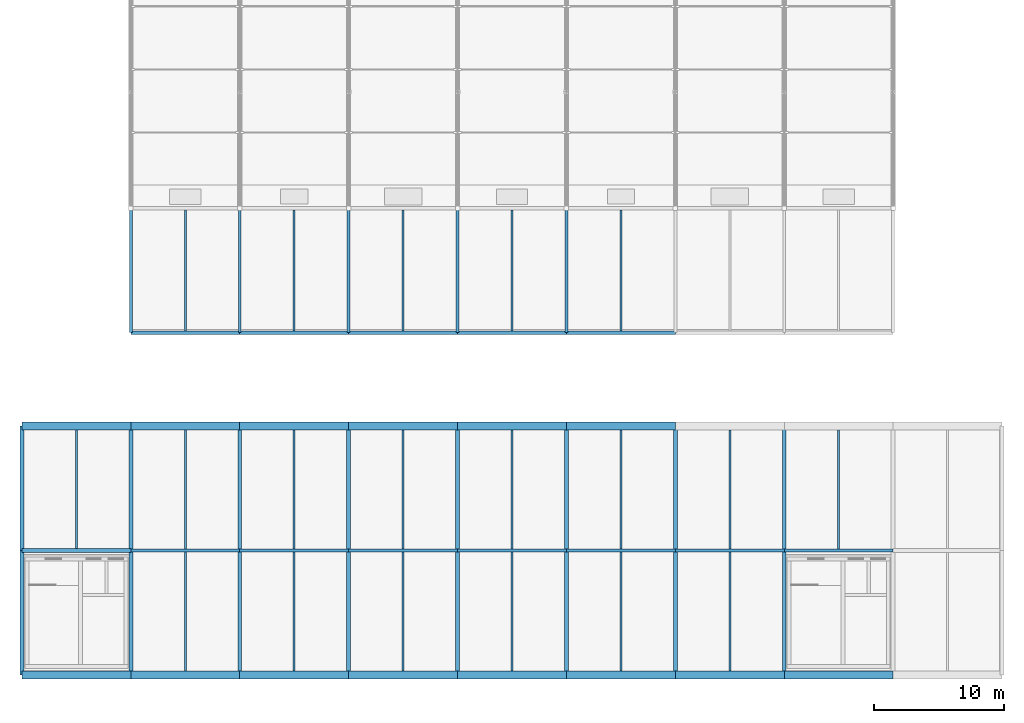
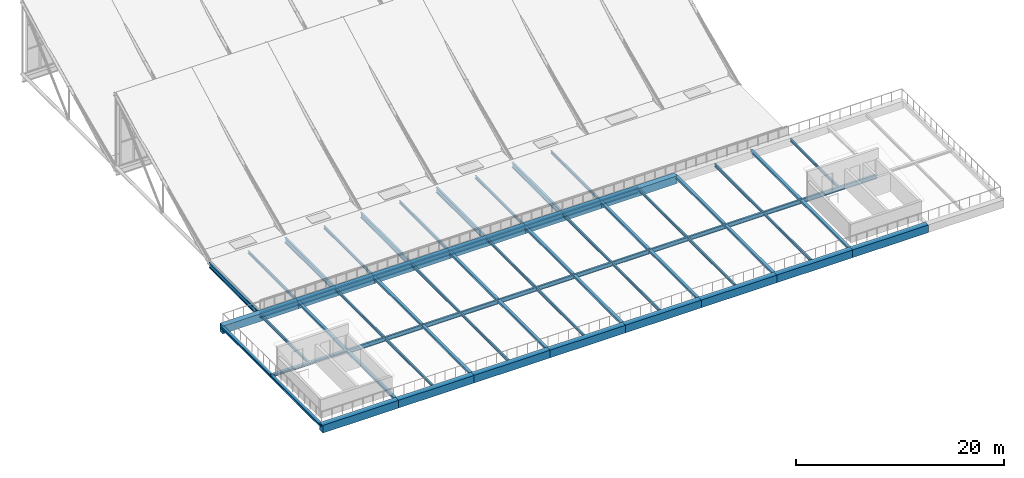
# One storey, part 1 of 38: 67 beams.
"""IFC4 building model written with IfcOpenShell, lengths in metres."""

from ifc_helpers import new_model, si_unit, direction, frame, origin, origin_2d, place, context, subcontext, project, spatial, rectangle, i_section, extrude, material, material_profile, profile_set, type_object, element, save


model = new_model("IFC4")

# Units and contexts
model_context = context("Model", 3, precision=1e-05, world=origin(), true_north=direction((0.0, 1.0)))
body_context = subcontext(model_context, "Body", "Model", "MODEL_VIEW")
ifc_project = project(units=[si_unit("LENGTHUNIT", "METRE"), si_unit("AREAUNIT", "SQUARE_METRE"), si_unit("VOLUMEUNIT", "CUBIC_METRE"), si_unit("PLANEANGLEUNIT", "RADIAN"), si_unit("MASSUNIT", "GRAM", prefix="KILO")], contexts=[model_context])

# Site, building, storey
site_placement = place(None, origin())
site = spatial("IfcSite", under=ifc_project, at=site_placement, CompositionType="ELEMENT")
building_placement = place(site_placement, origin())
building = spatial("IfcBuilding", under=site, at=building_placement, Name="Veltarok Museum of Natural Sciences", CompositionType="ELEMENT")
storey_placement = place(building_placement, frame((0.0, 0.0, 31.199951171875)))
storey = spatial("IfcBuildingStorey", under=building, at=storey_placement, Name="RF", CompositionType="ELEMENT", Elevation=31.199951171875)

# Beams
ifc_material_1 = material(Name="Concrete C40/50", Category="concrete")
ifc_material_profile_1 = material_profile(ifc_material_1, rectangle(XDim=0.60009765625, YDim=0.89990234375, at=origin_2d()), Name="RC 600x900")
ifc_profile_set_1 = profile_set([ifc_material_profile_1], Name="Concrete C40/50")
beam_type_1 = type_object("IfcBeamType", Name="Exposed Cabinet Perimeter Spandrel RC 600x900", PredefinedType="SPANDREL", material=ifc_profile_set_1)
for number, where, z_axis, x_axis, name in (
    (1, (31.60009765625, 0.0, -0.7099609375), (1.0, 0.0, 0.0), (0.0, 1.0, 0.0), "Beam BM-SP01 RF 4-5/A"),
    (2, (40.0, 0.0, -0.7099609375), (1.0, 0.0, 0.0), (0.0, 1.0, 0.0), "Beam BM-SP01 RF 5-6/A"),
):
    element("IfcBeam", number, at=place(storey_placement, frame(where, z_axis=z_axis, x_axis=x_axis)), inside=storey, type_object=beam_type_1, Name=name, PredefinedType="SPANDREL", context=body_context, shape_type="SweptSolid", body=[
        extrude(rectangle(XDim=0.60009765625, YDim=0.89990234375, at=origin_2d()), origin(), (0.0, 0.0, 1.0), 8.39990234375),
    ])
beam_1_placement = place(storey_placement, frame((48.39990234375, 0.0, -0.7099609375), z_axis=(1.0, 0.0, 0.0), x_axis=(0.0, 1.0, 0.0)))
element("IfcBeam", 3, at=beam_1_placement, inside=storey, type_object=beam_type_1, Name="Beam BM-SP01 RF 6-7/A", PredefinedType="SPANDREL", context=body_context, shape_type="SweptSolid", body=[
    extrude(rectangle(XDim=0.60009765625, YDim=0.89990234375, at=origin_2d()), origin(), (0.0, 0.0, 1.0), 8.400146484375),
])
beam_2_placement = place(storey_placement, frame((56.800048828125, 0.0, -0.7099609375), z_axis=(1.0, 0.0, 0.0), x_axis=(0.0, 1.0, 0.0)))
element("IfcBeam", 4, at=beam_2_placement, inside=storey, type_object=beam_type_1, Name="Beam BM-SP01 RF 7-8/A", PredefinedType="SPANDREL", context=body_context, shape_type="SweptSolid", body=[
    extrude(rectangle(XDim=0.60009765625, YDim=0.89990234375, at=origin_2d()), origin(), (0.0, 0.0, 1.0), 8.39990234375),
])
beam_3_placement = place(storey_placement, frame((65.199951171875, 0.0, -0.7099609375), z_axis=(1.0, 0.0, 0.0), x_axis=(0.0, 1.0, 0.0)))
element("IfcBeam", 5, at=beam_3_placement, inside=storey, type_object=beam_type_1, Name="Beam BM-SP01 RF 8-9/A", PredefinedType="SPANDREL", context=body_context, shape_type="SweptSolid", body=[
    extrude(rectangle(XDim=0.60009765625, YDim=0.89990234375, at=origin_2d()), origin(), (0.0, 0.0, 1.0), 8.400146484375),
])
for number, where, z_axis, x_axis, name in (
    (6, (73.60009765625, 0.0, -0.7099609375), (1.0, 0.0, 0.0), (0.0, 1.0, 0.0), "Beam BM-SP01 RF 9-10/A"),
    (7, (82.0, 0.0, -0.7099609375), (1.0, 0.0, 0.0), (0.0, 1.0, 0.0), "Beam BM-SP01 RF 10-11/A"),
):
    element("IfcBeam", number, at=place(storey_placement, frame(where, z_axis=z_axis, x_axis=x_axis)), inside=storey, type_object=beam_type_1, Name=name, PredefinedType="SPANDREL", context=body_context, shape_type="SweptSolid", body=[
        extrude(rectangle(XDim=0.60009765625, YDim=0.89990234375, at=origin_2d()), origin(), (0.0, 0.0, 1.0), 8.39990234375),
    ])
beam_4_placement = place(storey_placement, frame((90.39990234375, 0.0, -0.7099609375), z_axis=(1.0, 0.0, 0.0), x_axis=(0.0, 1.0, 0.0)))
element("IfcBeam", 8, at=beam_4_placement, inside=storey, type_object=beam_type_1, Name="Beam BM-SP01 RF 11-12/A", PredefinedType="SPANDREL", context=body_context, shape_type="SweptSolid", body=[
    extrude(rectangle(XDim=0.60009765625, YDim=0.89990234375, at=origin_2d()), origin(), (0.0, 0.0, 1.0), 8.400146484375),
])
for number, where, z_axis, x_axis, name in (
    (9, (31.60009765625, 19.199951171875, -0.7099609375), (1.0, 0.0, 0.0), (0.0, 1.0, 0.0), "Beam BM-SP01 RF 4-5/C"),
    (10, (40.0, 19.199951171875, -0.7099609375), (1.0, 0.0, 0.0), (0.0, 1.0, 0.0), "Beam BM-SP01 RF 5-6/C"),
):
    element("IfcBeam", number, at=place(storey_placement, frame(where, z_axis=z_axis, x_axis=x_axis)), inside=storey, type_object=beam_type_1, Name=name, PredefinedType="SPANDREL", context=body_context, shape_type="SweptSolid", body=[
        extrude(rectangle(XDim=0.60009765625, YDim=0.89990234375, at=origin_2d()), origin(), (0.0, 0.0, 1.0), 8.39990234375),
    ])
beam_5_placement = place(storey_placement, frame((48.39990234375, 19.199951171875, -0.7099609375), z_axis=(1.0, 0.0, 0.0), x_axis=(0.0, 1.0, 0.0)))
element("IfcBeam", 11, at=beam_5_placement, inside=storey, type_object=beam_type_1, Name="Beam BM-SP01 RF 6-7/C", PredefinedType="SPANDREL", context=body_context, shape_type="SweptSolid", body=[
    extrude(rectangle(XDim=0.60009765625, YDim=0.89990234375, at=origin_2d()), origin(), (0.0, 0.0, 1.0), 8.400146484375),
])
beam_6_placement = place(storey_placement, frame((56.800048828125, 19.199951171875, -0.7099609375), z_axis=(1.0, 0.0, 0.0), x_axis=(0.0, 1.0, 0.0)))
element("IfcBeam", 12, at=beam_6_placement, inside=storey, type_object=beam_type_1, Name="Beam BM-SP01 RF 7-8/C", PredefinedType="SPANDREL", context=body_context, shape_type="SweptSolid", body=[
    extrude(rectangle(XDim=0.60009765625, YDim=0.89990234375, at=origin_2d()), origin(), (0.0, 0.0, 1.0), 8.39990234375),
])
beam_7_placement = place(storey_placement, frame((65.199951171875, 19.199951171875, -0.7099609375), z_axis=(1.0, 0.0, 0.0), x_axis=(0.0, 1.0, 0.0)))
element("IfcBeam", 13, at=beam_7_placement, inside=storey, type_object=beam_type_1, Name="Beam BM-SP01 RF 8-9/C", PredefinedType="SPANDREL", context=body_context, shape_type="SweptSolid", body=[
    extrude(rectangle(XDim=0.60009765625, YDim=0.89990234375, at=origin_2d()), origin(), (0.0, 0.0, 1.0), 8.400146484375),
])
beam_8_placement = place(storey_placement, frame((73.60009765625, 19.199951171875, -0.7099609375), z_axis=(1.0, 0.0, 0.0), x_axis=(0.0, 1.0, 0.0)))
element("IfcBeam", 14, at=beam_8_placement, inside=storey, type_object=beam_type_1, Name="Beam BM-SP01 RF 9-10/C", PredefinedType="SPANDREL", context=body_context, shape_type="SweptSolid", body=[
    extrude(rectangle(XDim=0.60009765625, YDim=0.89990234375, at=origin_2d()), origin(), (0.0, 0.0, 1.0), 8.39990234375),
])
ifc_material_2 = material(Name="Steel S355J2", Category="steel")
ifc_material_profile_2 = material_profile(ifc_material_2, i_section(OverallWidth=0.300048828125, OverallDepth=0.2900390625, WebThickness=0.008544921875, FlangeThickness=0.013916015625, FilletRadius=0.027099609375, at=origin_2d()), Name="HEA 300")
ifc_profile_set_2 = profile_set([ifc_material_profile_2], Name="Steel S355J2")
beam_type_2 = type_object("IfcBeamType", Name="Glazed Hall Edge Spandrel HEA 300", PredefinedType="SPANDREL", material=ifc_profile_set_2)
beam_9_placement = place(storey_placement, frame((31.60009765625, 9.60009765625, -0.405029296875), z_axis=(1.0, 0.0, 0.0), x_axis=(0.0, 1.0, 0.0)))
element("IfcBeam", 15, at=beam_9_placement, inside=storey, type_object=beam_type_2, Name="Beam BM-SP03 RF 4-5/B", PredefinedType="SPANDREL", context=body_context, shape_type="SweptSolid", body=[
    extrude(i_section(OverallWidth=0.300048828125, OverallDepth=0.2900390625, WebThickness=0.008544921875, FlangeThickness=0.013916015625, FilletRadius=0.027099609375, at=origin_2d()), origin(), (0.0, 0.0, 1.0), 8.39990234375),
])
beam_10_placement = place(storey_placement, frame((31.60009765625, 0.0, -0.405029296875), z_axis=(0.0, 1.0, 0.0), x_axis=(-1.0, 0.0, 0.0)))
element("IfcBeam", 16, at=beam_10_placement, inside=storey, type_object=beam_type_2, Name="Beam BM-SP03 RF 4/A-B", PredefinedType="SPANDREL", context=body_context, shape_type="SweptSolid", body=[
    extrude(i_section(OverallWidth=0.300048828125, OverallDepth=0.2900390625, WebThickness=0.008544921875, FlangeThickness=0.013916015625, FilletRadius=0.027099609375, at=origin_2d()), origin(), (0.0, 0.0, 1.0), 9.60009765625),
])
beam_11_placement = place(storey_placement, frame((31.60009765625, 9.60009765625, -0.405029296875), z_axis=(0.0, 1.0, 0.0), x_axis=(-1.0, 0.0, 0.0)))
element("IfcBeam", 17, at=beam_11_placement, inside=storey, type_object=beam_type_2, Name="Beam BM-SP03 RF 4/B-C", PredefinedType="SPANDREL", context=body_context, shape_type="SweptSolid", body=[
    extrude(i_section(OverallWidth=0.300048828125, OverallDepth=0.2900390625, WebThickness=0.008544921875, FlangeThickness=0.013916015625, FilletRadius=0.027099609375, at=origin_2d()), origin(), (0.0, 0.0, 1.0), 9.599853515625),
])
beam_12_placement = place(storey_placement, frame((40.0, 0.0, -0.405029296875), z_axis=(0.0, 1.0, 0.0), x_axis=(-1.0, 0.0, 0.0)))
element("IfcBeam", 18, at=beam_12_placement, inside=storey, type_object=beam_type_2, Name="Beam BM-SP03 RF 5/A-B", PredefinedType="SPANDREL", context=body_context, shape_type="SweptSolid", body=[
    extrude(i_section(OverallWidth=0.300048828125, OverallDepth=0.2900390625, WebThickness=0.008544921875, FlangeThickness=0.013916015625, FilletRadius=0.027099609375, at=origin_2d()), origin(), (0.0, 0.0, 1.0), 9.60009765625),
])
beam_13_placement = place(storey_placement, frame((40.0, 9.60009765625, -0.405029296875), z_axis=(0.0, 1.0, 0.0), x_axis=(-1.0, 0.0, 0.0)))
element("IfcBeam", 19, at=beam_13_placement, inside=storey, type_object=beam_type_2, Name="Beam BM-SP03 RF 5/B-C", PredefinedType="SPANDREL", context=body_context, shape_type="SweptSolid", body=[
    extrude(i_section(OverallWidth=0.300048828125, OverallDepth=0.2900390625, WebThickness=0.008544921875, FlangeThickness=0.013916015625, FilletRadius=0.027099609375, at=origin_2d()), origin(), (0.0, 0.0, 1.0), 9.599853515625),
])
beam_14_placement = place(storey_placement, frame((48.39990234375, 0.0, -0.405029296875), z_axis=(0.0, 1.0, 0.0), x_axis=(-1.0, 0.0, 0.0)))
element("IfcBeam", 20, at=beam_14_placement, inside=storey, type_object=beam_type_2, Name="Beam BM-SP03 RF 6/A-B", PredefinedType="SPANDREL", context=body_context, shape_type="SweptSolid", body=[
    extrude(i_section(OverallWidth=0.300048828125, OverallDepth=0.2900390625, WebThickness=0.008544921875, FlangeThickness=0.013916015625, FilletRadius=0.027099609375, at=origin_2d()), origin(), (0.0, 0.0, 1.0), 9.60009765625),
])
beam_15_placement = place(storey_placement, frame((48.39990234375, 9.60009765625, -0.405029296875), z_axis=(0.0, 1.0, 0.0), x_axis=(-1.0, 0.0, 0.0)))
element("IfcBeam", 21, at=beam_15_placement, inside=storey, type_object=beam_type_2, Name="Beam BM-SP03 RF 6/B-C", PredefinedType="SPANDREL", context=body_context, shape_type="SweptSolid", body=[
    extrude(i_section(OverallWidth=0.300048828125, OverallDepth=0.2900390625, WebThickness=0.008544921875, FlangeThickness=0.013916015625, FilletRadius=0.027099609375, at=origin_2d()), origin(), (0.0, 0.0, 1.0), 9.599853515625),
])
beam_16_placement = place(storey_placement, frame((56.800048828125, 0.0, -0.405029296875), z_axis=(0.0, 1.0, 0.0), x_axis=(-1.0, 0.0, 0.0)))
element("IfcBeam", 22, at=beam_16_placement, inside=storey, type_object=beam_type_2, Name="Beam BM-SP03 RF 7/A-B", PredefinedType="SPANDREL", context=body_context, shape_type="SweptSolid", body=[
    extrude(i_section(OverallWidth=0.300048828125, OverallDepth=0.2900390625, WebThickness=0.008544921875, FlangeThickness=0.013916015625, FilletRadius=0.027099609375, at=origin_2d()), origin(), (0.0, 0.0, 1.0), 9.60009765625),
])
beam_17_placement = place(storey_placement, frame((56.800048828125, 9.60009765625, -0.405029296875), z_axis=(0.0, 1.0, 0.0), x_axis=(-1.0, 0.0, 0.0)))
element("IfcBeam", 23, at=beam_17_placement, inside=storey, type_object=beam_type_2, Name="Beam BM-SP03 RF 7/B-C", PredefinedType="SPANDREL", context=body_context, shape_type="SweptSolid", body=[
    extrude(i_section(OverallWidth=0.300048828125, OverallDepth=0.2900390625, WebThickness=0.008544921875, FlangeThickness=0.013916015625, FilletRadius=0.027099609375, at=origin_2d()), origin(), (0.0, 0.0, 1.0), 9.599853515625),
])
beam_18_placement = place(storey_placement, frame((65.199951171875, 0.0, -0.405029296875), z_axis=(0.0, 1.0, 0.0), x_axis=(-1.0, 0.0, 0.0)))
element("IfcBeam", 24, at=beam_18_placement, inside=storey, type_object=beam_type_2, Name="Beam BM-SP03 RF 8/A-B", PredefinedType="SPANDREL", context=body_context, shape_type="SweptSolid", body=[
    extrude(i_section(OverallWidth=0.300048828125, OverallDepth=0.2900390625, WebThickness=0.008544921875, FlangeThickness=0.013916015625, FilletRadius=0.027099609375, at=origin_2d()), origin(), (0.0, 0.0, 1.0), 9.60009765625),
])
beam_19_placement = place(storey_placement, frame((65.199951171875, 9.60009765625, -0.405029296875), z_axis=(0.0, 1.0, 0.0), x_axis=(-1.0, 0.0, 0.0)))
element("IfcBeam", 25, at=beam_19_placement, inside=storey, type_object=beam_type_2, Name="Beam BM-SP03 RF 8/B-C", PredefinedType="SPANDREL", context=body_context, shape_type="SweptSolid", body=[
    extrude(i_section(OverallWidth=0.300048828125, OverallDepth=0.2900390625, WebThickness=0.008544921875, FlangeThickness=0.013916015625, FilletRadius=0.027099609375, at=origin_2d()), origin(), (0.0, 0.0, 1.0), 9.599853515625),
])
beam_20_placement = place(storey_placement, frame((73.60009765625, 0.0, -0.405029296875), z_axis=(0.0, 1.0, 0.0), x_axis=(-1.0, 0.0, 0.0)))
element("IfcBeam", 26, at=beam_20_placement, inside=storey, type_object=beam_type_2, Name="Beam BM-SP03 RF 9/A-B", PredefinedType="SPANDREL", context=body_context, shape_type="SweptSolid", body=[
    extrude(i_section(OverallWidth=0.300048828125, OverallDepth=0.2900390625, WebThickness=0.008544921875, FlangeThickness=0.013916015625, FilletRadius=0.027099609375, at=origin_2d()), origin(), (0.0, 0.0, 1.0), 9.60009765625),
])
beam_21_placement = place(storey_placement, frame((73.60009765625, 9.60009765625, -0.405029296875), z_axis=(0.0, 1.0, 0.0), x_axis=(-1.0, 0.0, 0.0)))
element("IfcBeam", 27, at=beam_21_placement, inside=storey, type_object=beam_type_2, Name="Beam BM-SP03 RF 9/B-C", PredefinedType="SPANDREL", context=body_context, shape_type="SweptSolid", body=[
    extrude(i_section(OverallWidth=0.300048828125, OverallDepth=0.2900390625, WebThickness=0.008544921875, FlangeThickness=0.013916015625, FilletRadius=0.027099609375, at=origin_2d()), origin(), (0.0, 0.0, 1.0), 9.599853515625),
])
beam_22_placement = place(storey_placement, frame((82.0, 0.0, -0.405029296875), z_axis=(0.0, 1.0, 0.0), x_axis=(-1.0, 0.0, 0.0)))
element("IfcBeam", 28, at=beam_22_placement, inside=storey, type_object=beam_type_2, Name="Beam BM-SP03 RF 10/A-B", PredefinedType="SPANDREL", context=body_context, shape_type="SweptSolid", body=[
    extrude(i_section(OverallWidth=0.300048828125, OverallDepth=0.2900390625, WebThickness=0.008544921875, FlangeThickness=0.013916015625, FilletRadius=0.027099609375, at=origin_2d()), origin(), (0.0, 0.0, 1.0), 9.60009765625),
])
beam_23_placement = place(storey_placement, frame((82.0, 9.60009765625, -0.405029296875), z_axis=(0.0, 1.0, 0.0), x_axis=(-1.0, 0.0, 0.0)))
element("IfcBeam", 29, at=beam_23_placement, inside=storey, type_object=beam_type_2, Name="Beam BM-SP03 RF 10/B-C", PredefinedType="SPANDREL", context=body_context, shape_type="SweptSolid", body=[
    extrude(i_section(OverallWidth=0.300048828125, OverallDepth=0.2900390625, WebThickness=0.008544921875, FlangeThickness=0.013916015625, FilletRadius=0.027099609375, at=origin_2d()), origin(), (0.0, 0.0, 1.0), 9.599853515625),
])
beam_24_placement = place(storey_placement, frame((90.39990234375, 0.0, -0.405029296875), z_axis=(0.0, 1.0, 0.0), x_axis=(-1.0, 0.0, 0.0)))
element("IfcBeam", 30, at=beam_24_placement, inside=storey, type_object=beam_type_2, Name="Beam BM-SP03 RF 11/A-B", PredefinedType="SPANDREL", context=body_context, shape_type="SweptSolid", body=[
    extrude(i_section(OverallWidth=0.300048828125, OverallDepth=0.2900390625, WebThickness=0.008544921875, FlangeThickness=0.013916015625, FilletRadius=0.027099609375, at=origin_2d()), origin(), (0.0, 0.0, 1.0), 9.60009765625),
])
beam_25_placement = place(storey_placement, frame((90.39990234375, 9.60009765625, -0.405029296875), z_axis=(0.0, 1.0, 0.0), x_axis=(-1.0, 0.0, 0.0)))
element("IfcBeam", 31, at=beam_25_placement, inside=storey, type_object=beam_type_2, Name="Beam BM-SP03 RF 11/B-C", PredefinedType="SPANDREL", context=body_context, shape_type="SweptSolid", body=[
    extrude(i_section(OverallWidth=0.300048828125, OverallDepth=0.2900390625, WebThickness=0.008544921875, FlangeThickness=0.013916015625, FilletRadius=0.027099609375, at=origin_2d()), origin(), (0.0, 0.0, 1.0), 9.599853515625),
])
ifc_material_profile_3 = material_profile(ifc_material_2, i_section(OverallWidth=0.300048828125, OverallDepth=0.699951171875, WebThickness=0.01708984375, FlangeThickness=0.031982421875, FilletRadius=0.027099609375, at=origin_2d()), Name="HEB 700")
ifc_profile_set_3 = profile_set([ifc_material_profile_3], Name="Steel S355J2")
beam_type_3 = type_object("IfcBeamType", Name="Long-Span Hall Girder HEB 700", PredefinedType="BEAM", material=ifc_profile_set_3)
beam_26_placement = place(storey_placement, frame((40.0, 26.39990234375, -6.389892578125), z_axis=(1.0, 0.0, 0.0), x_axis=(0.0, 1.0, 0.0)))
element("IfcBeam", 32, at=beam_26_placement, inside=storey, type_object=beam_type_3, Name="Sawtooth Valley Girder 5-6 Y=26.4", PredefinedType="BEAM", context=body_context, shape_type="SweptSolid", body=[
    extrude(i_section(OverallWidth=0.300048828125, OverallDepth=0.699951171875, WebThickness=0.01708984375, FlangeThickness=0.031982421875, FilletRadius=0.027099609375, at=origin_2d()), origin(), (0.0, 0.0, 1.0), 8.39990234375),
])
beam_27_placement = place(storey_placement, frame((48.39990234375, 26.39990234375, -6.389892578125), z_axis=(1.0, 0.0, 0.0), x_axis=(0.0, 1.0, 0.0)))
element("IfcBeam", 33, at=beam_27_placement, inside=storey, type_object=beam_type_3, Name="Sawtooth Valley Girder 6-7 Y=26.4", PredefinedType="BEAM", context=body_context, shape_type="SweptSolid", body=[
    extrude(i_section(OverallWidth=0.300048828125, OverallDepth=0.699951171875, WebThickness=0.01708984375, FlangeThickness=0.031982421875, FilletRadius=0.027099609375, at=origin_2d()), origin(), (0.0, 0.0, 1.0), 8.400146484375),
])
beam_28_placement = place(storey_placement, frame((56.800048828125, 26.39990234375, -6.389892578125), z_axis=(1.0, 0.0, 0.0), x_axis=(0.0, 1.0, 0.0)))
element("IfcBeam", 34, at=beam_28_placement, inside=storey, type_object=beam_type_3, Name="Sawtooth Valley Girder 7-8 Y=26.4", PredefinedType="BEAM", context=body_context, shape_type="SweptSolid", body=[
    extrude(i_section(OverallWidth=0.300048828125, OverallDepth=0.699951171875, WebThickness=0.01708984375, FlangeThickness=0.031982421875, FilletRadius=0.027099609375, at=origin_2d()), origin(), (0.0, 0.0, 1.0), 8.39990234375),
])
beam_29_placement = place(storey_placement, frame((65.199951171875, 26.39990234375, -6.389892578125), z_axis=(1.0, 0.0, 0.0), x_axis=(0.0, 1.0, 0.0)))
element("IfcBeam", 35, at=beam_29_placement, inside=storey, type_object=beam_type_3, Name="Sawtooth Valley Girder 8-9 Y=26.4", PredefinedType="BEAM", context=body_context, shape_type="SweptSolid", body=[
    extrude(i_section(OverallWidth=0.300048828125, OverallDepth=0.699951171875, WebThickness=0.01708984375, FlangeThickness=0.031982421875, FilletRadius=0.027099609375, at=origin_2d()), origin(), (0.0, 0.0, 1.0), 8.400146484375),
])
beam_30_placement = place(storey_placement, frame((73.60009765625, 26.39990234375, -6.389892578125), z_axis=(1.0, 0.0, 0.0), x_axis=(0.0, 1.0, 0.0)))
element("IfcBeam", 36, at=beam_30_placement, inside=storey, type_object=beam_type_3, Name="Sawtooth Valley Girder 9-10 Y=26.4", PredefinedType="BEAM", context=body_context, shape_type="SweptSolid", body=[
    extrude(i_section(OverallWidth=0.300048828125, OverallDepth=0.699951171875, WebThickness=0.01708984375, FlangeThickness=0.031982421875, FilletRadius=0.027099609375, at=origin_2d()), origin(), (0.0, 0.0, 1.0), 8.39990234375),
])
ifc_material_profile_4 = material_profile(ifc_material_2, i_section(OverallWidth=0.159912109375, OverallDepth=0.330078125, WebThickness=0.007568359375, FlangeThickness=0.011474609375, FilletRadius=0.01806640625, at=origin_2d()), Name="IPE 330")
ifc_profile_set_4 = profile_set([ifc_material_profile_4], Name="Steel S355J2")
beam_type_4 = type_object("IfcBeamType", Name="Medium-Bay Composite Joist IPE 330", PredefinedType="JOIST", material=ifc_profile_set_4)
beam_31_placement = place(storey_placement, frame((35.800048828125, 9.748046875, -0.425048828125), z_axis=(0.0, 1.0, 0.0), x_axis=(-1.0, 0.0, 0.0)))
element("IfcBeam", 37, at=beam_31_placement, inside=storey, type_object=beam_type_4, Name="Secondary Joist BM-J02 RF 4-5/B-C.1", PredefinedType="JOIST", context=body_context, shape_type="SweptSolid", body=[
    extrude(i_section(OverallWidth=0.159912109375, OverallDepth=0.330078125, WebThickness=0.007568359375, FlangeThickness=0.011474609375, FilletRadius=0.01806640625, at=origin_2d()), origin(), (0.0, 0.0, 1.0), 9.154052734375),
])
beam_32_placement = place(storey_placement, frame((44.199951171875, 0.298095703125, -0.425048828125), z_axis=(0.0, 1.0, 0.0), x_axis=(-1.0, 0.0, 0.0)))
element("IfcBeam", 38, at=beam_32_placement, inside=storey, type_object=beam_type_4, Name="Secondary Joist BM-J02 RF 5-6/A-B.1", PredefinedType="JOIST", context=body_context, shape_type="SweptSolid", body=[
    extrude(i_section(OverallWidth=0.159912109375, OverallDepth=0.330078125, WebThickness=0.007568359375, FlangeThickness=0.011474609375, FilletRadius=0.01806640625, at=origin_2d()), origin(), (0.0, 0.0, 1.0), 9.203857421875),
])
beam_33_placement = place(storey_placement, frame((44.199951171875, 9.697998046875, -0.425048828125), z_axis=(0.0, 1.0, 0.0), x_axis=(-1.0, 0.0, 0.0)))
element("IfcBeam", 39, at=beam_33_placement, inside=storey, type_object=beam_type_4, Name="Secondary Joist BM-J02 RF 5-6/B-C.1", PredefinedType="JOIST", context=body_context, shape_type="SweptSolid", body=[
    extrude(i_section(OverallWidth=0.159912109375, OverallDepth=0.330078125, WebThickness=0.007568359375, FlangeThickness=0.011474609375, FilletRadius=0.01806640625, at=origin_2d()), origin(), (0.0, 0.0, 1.0), 9.2041015625),
])
beam_34_placement = place(storey_placement, frame((52.60009765625, 0.298095703125, -0.425048828125), z_axis=(0.0, 1.0, 0.0), x_axis=(-1.0, 0.0, 0.0)))
element("IfcBeam", 40, at=beam_34_placement, inside=storey, type_object=beam_type_4, Name="Secondary Joist BM-J02 RF 6-7/A-B.1", PredefinedType="JOIST", context=body_context, shape_type="SweptSolid", body=[
    extrude(i_section(OverallWidth=0.159912109375, OverallDepth=0.330078125, WebThickness=0.007568359375, FlangeThickness=0.011474609375, FilletRadius=0.01806640625, at=origin_2d()), origin(), (0.0, 0.0, 1.0), 9.203857421875),
])
beam_35_placement = place(storey_placement, frame((52.60009765625, 9.697998046875, -0.425048828125), z_axis=(0.0, 1.0, 0.0), x_axis=(-1.0, 0.0, 0.0)))
element("IfcBeam", 41, at=beam_35_placement, inside=storey, type_object=beam_type_4, Name="Secondary Joist BM-J02 RF 6-7/B-C.1", PredefinedType="JOIST", context=body_context, shape_type="SweptSolid", body=[
    extrude(i_section(OverallWidth=0.159912109375, OverallDepth=0.330078125, WebThickness=0.007568359375, FlangeThickness=0.011474609375, FilletRadius=0.01806640625, at=origin_2d()), origin(), (0.0, 0.0, 1.0), 9.2041015625),
])
beam_36_placement = place(storey_placement, frame((61.0, 0.298095703125, -0.425048828125), z_axis=(0.0, 1.0, 0.0), x_axis=(-1.0, 0.0, 0.0)))
element("IfcBeam", 42, at=beam_36_placement, inside=storey, type_object=beam_type_4, Name="Secondary Joist BM-J02 RF 7-8/A-B.1", PredefinedType="JOIST", context=body_context, shape_type="SweptSolid", body=[
    extrude(i_section(OverallWidth=0.159912109375, OverallDepth=0.330078125, WebThickness=0.007568359375, FlangeThickness=0.011474609375, FilletRadius=0.01806640625, at=origin_2d()), origin(), (0.0, 0.0, 1.0), 9.203857421875),
])
beam_37_placement = place(storey_placement, frame((61.0, 9.697998046875, -0.425048828125), z_axis=(0.0, 1.0, 0.0), x_axis=(-1.0, 0.0, 0.0)))
element("IfcBeam", 43, at=beam_37_placement, inside=storey, type_object=beam_type_4, Name="Secondary Joist BM-J02 RF 7-8/B-C.1", PredefinedType="JOIST", context=body_context, shape_type="SweptSolid", body=[
    extrude(i_section(OverallWidth=0.159912109375, OverallDepth=0.330078125, WebThickness=0.007568359375, FlangeThickness=0.011474609375, FilletRadius=0.01806640625, at=origin_2d()), origin(), (0.0, 0.0, 1.0), 9.2041015625),
])
beam_38_placement = place(storey_placement, frame((69.39990234375, 0.298095703125, -0.425048828125), z_axis=(0.0, 1.0, 0.0), x_axis=(-1.0, 0.0, 0.0)))
element("IfcBeam", 44, at=beam_38_placement, inside=storey, type_object=beam_type_4, Name="Secondary Joist BM-J02 RF 8-9/A-B.1", PredefinedType="JOIST", context=body_context, shape_type="SweptSolid", body=[
    extrude(i_section(OverallWidth=0.159912109375, OverallDepth=0.330078125, WebThickness=0.007568359375, FlangeThickness=0.011474609375, FilletRadius=0.01806640625, at=origin_2d()), origin(), (0.0, 0.0, 1.0), 9.203857421875),
])
beam_39_placement = place(storey_placement, frame((69.39990234375, 9.697998046875, -0.425048828125), z_axis=(0.0, 1.0, 0.0), x_axis=(-1.0, 0.0, 0.0)))
element("IfcBeam", 45, at=beam_39_placement, inside=storey, type_object=beam_type_4, Name="Secondary Joist BM-J02 RF 8-9/B-C.1", PredefinedType="JOIST", context=body_context, shape_type="SweptSolid", body=[
    extrude(i_section(OverallWidth=0.159912109375, OverallDepth=0.330078125, WebThickness=0.007568359375, FlangeThickness=0.011474609375, FilletRadius=0.01806640625, at=origin_2d()), origin(), (0.0, 0.0, 1.0), 9.2041015625),
])
beam_40_placement = place(storey_placement, frame((77.800048828125, 0.298095703125, -0.425048828125), z_axis=(0.0, 1.0, 0.0), x_axis=(-1.0, 0.0, 0.0)))
element("IfcBeam", 46, at=beam_40_placement, inside=storey, type_object=beam_type_4, Name="Secondary Joist BM-J02 RF 9-10/A-B.1", PredefinedType="JOIST", context=body_context, shape_type="SweptSolid", body=[
    extrude(i_section(OverallWidth=0.159912109375, OverallDepth=0.330078125, WebThickness=0.007568359375, FlangeThickness=0.011474609375, FilletRadius=0.01806640625, at=origin_2d()), origin(), (0.0, 0.0, 1.0), 9.203857421875),
])
beam_41_placement = place(storey_placement, frame((77.800048828125, 9.697998046875, -0.425048828125), z_axis=(0.0, 1.0, 0.0), x_axis=(-1.0, 0.0, 0.0)))
element("IfcBeam", 47, at=beam_41_placement, inside=storey, type_object=beam_type_4, Name="Secondary Joist BM-J02 RF 9-10/B-C.1", PredefinedType="JOIST", context=body_context, shape_type="SweptSolid", body=[
    extrude(i_section(OverallWidth=0.159912109375, OverallDepth=0.330078125, WebThickness=0.007568359375, FlangeThickness=0.011474609375, FilletRadius=0.01806640625, at=origin_2d()), origin(), (0.0, 0.0, 1.0), 9.2041015625),
])
beam_42_placement = place(storey_placement, frame((86.199951171875, 0.298095703125, -0.425048828125), z_axis=(0.0, 1.0, 0.0), x_axis=(-1.0, 0.0, 0.0)))
element("IfcBeam", 48, at=beam_42_placement, inside=storey, type_object=beam_type_4, Name="Secondary Joist BM-J02 RF 10-11/A-B.1", PredefinedType="JOIST", context=body_context, shape_type="SweptSolid", body=[
    extrude(i_section(OverallWidth=0.159912109375, OverallDepth=0.330078125, WebThickness=0.007568359375, FlangeThickness=0.011474609375, FilletRadius=0.01806640625, at=origin_2d()), origin(), (0.0, 0.0, 1.0), 9.203857421875),
])
for number, where, z_axis, x_axis, name in (
    (49, (86.199951171875, 9.697998046875, -0.425048828125), (0.0, 1.0, 0.0), (-1.0, 0.0, 0.0), "Secondary Joist BM-J02 RF 10-11/B-C.1"),
    (50, (94.60009765625, 9.697998046875, -0.425048828125), (0.0, 1.0, 0.0), (-1.0, 0.0, 0.0), "Secondary Joist BM-J02 RF 11-12/B-C.1"),
):
    element("IfcBeam", number, at=place(storey_placement, frame(where, z_axis=z_axis, x_axis=x_axis)), inside=storey, type_object=beam_type_4, Name=name, PredefinedType="JOIST", context=body_context, shape_type="SweptSolid", body=[
        extrude(i_section(OverallWidth=0.159912109375, OverallDepth=0.330078125, WebThickness=0.007568359375, FlangeThickness=0.011474609375, FilletRadius=0.01806640625, at=origin_2d()), origin(), (0.0, 0.0, 1.0), 9.2041015625),
    ])
for number, where, z_axis, x_axis, name in (
    (51, (44.199951171875, 26.548095703125, -6.204833984375), (0.0, 1.0, 0.0), (-1.0, 0.0, 0.0), "Sawtooth South Roof Joist 5-6/D-E"),
    (52, (52.60009765625, 26.548095703125, -6.204833984375), (0.0, 1.0, 0.0), (-1.0, 0.0, 0.0), "Sawtooth South Roof Joist 6-7/D-E"),
    (53, (61.0, 26.548095703125, -6.204833984375), (0.0, 1.0, 0.0), (-1.0, 0.0, 0.0), "Sawtooth South Roof Joist 7-8/D-E"),
    (54, (69.39990234375, 26.548095703125, -6.204833984375), (0.0, 1.0, 0.0), (-1.0, 0.0, 0.0), "Sawtooth South Roof Joist 8-9/D-E"),
    (55, (77.800048828125, 26.548095703125, -6.204833984375), (0.0, 1.0, 0.0), (-1.0, 0.0, 0.0), "Sawtooth South Roof Joist 9-10/D-E"),
):
    element("IfcBeam", number, at=place(storey_placement, frame(where, z_axis=z_axis, x_axis=x_axis)), inside=storey, type_object=beam_type_4, Name=name, PredefinedType="JOIST", context=body_context, shape_type="SweptSolid", body=[
        extrude(i_section(OverallWidth=0.159912109375, OverallDepth=0.330078125, WebThickness=0.007568359375, FlangeThickness=0.011474609375, FilletRadius=0.01806640625, at=origin_2d()), origin(), (0.0, 0.0, 1.0), 9.303955078125),
    ])
ifc_material_profile_5 = material_profile(ifc_material_2, i_section(OverallWidth=0.219970703125, OverallDepth=0.60009765625, WebThickness=0.011962890625, FlangeThickness=0.01904296875, FilletRadius=0.02392578125, at=origin_2d()), Name="IPE 600")
ifc_profile_set_5 = profile_set([ifc_material_profile_5], Name="Steel S355J2")
beam_type_5 = type_object("IfcBeamType", Name="Primary Museum Girder IPE 600", PredefinedType="BEAM", material=ifc_profile_set_5)
for number, where, z_axis, x_axis, name in (
    (56, (40.0, 26.39990234375, -6.33984375), (0.0, 1.0, 0.0), (-1.0, 0.0, 0.0), "Sawtooth South Roof Girder 5/D-E"),
    (57, (48.39990234375, 26.39990234375, -6.33984375), (0.0, 1.0, 0.0), (-1.0, 0.0, 0.0), "Sawtooth South Roof Girder 6/D-E"),
    (58, (56.800048828125, 26.39990234375, -6.33984375), (0.0, 1.0, 0.0), (-1.0, 0.0, 0.0), "Sawtooth South Roof Girder 7/D-E"),
    (59, (65.199951171875, 26.39990234375, -6.33984375), (0.0, 1.0, 0.0), (-1.0, 0.0, 0.0), "Sawtooth South Roof Girder 8/D-E"),
    (60, (73.60009765625, 26.39990234375, -6.33984375), (0.0, 1.0, 0.0), (-1.0, 0.0, 0.0), "Sawtooth South Roof Girder 9/D-E"),
):
    element("IfcBeam", number, at=place(storey_placement, frame(where, z_axis=z_axis, x_axis=x_axis)), inside=storey, type_object=beam_type_5, Name=name, PredefinedType="BEAM", context=body_context, shape_type="SweptSolid", body=[
        extrude(i_section(OverallWidth=0.219970703125, OverallDepth=0.60009765625, WebThickness=0.011962890625, FlangeThickness=0.01904296875, FilletRadius=0.02392578125, at=origin_2d()), origin(), (0.0, 0.0, 1.0), 9.60009765625),
    ])
ifc_material_profile_6 = material_profile(ifc_material_2, i_section(OverallWidth=0.199951171875, OverallDepth=0.5, WebThickness=0.01025390625, FlangeThickness=0.01611328125, FilletRadius=0.02099609375, at=origin_2d()), Name="IPE 500")
ifc_profile_set_6 = profile_set([ifc_material_profile_6], Name="Steel S355J2")
beam_type_6 = type_object("IfcBeamType", Name="Standard Gallery Girder IPE 500", PredefinedType="BEAM", material=ifc_profile_set_6)
beam_43_placement = place(storey_placement, frame((40.0, 9.60009765625, -0.510009765625), z_axis=(1.0, 0.0, 0.0), x_axis=(0.0, 1.0, 0.0)))
element("IfcBeam", 61, at=beam_43_placement, inside=storey, type_object=beam_type_6, Name="Beam BM-G04 RF 5-6/B", PredefinedType="BEAM", context=body_context, shape_type="SweptSolid", body=[
    extrude(i_section(OverallWidth=0.199951171875, OverallDepth=0.5, WebThickness=0.01025390625, FlangeThickness=0.01611328125, FilletRadius=0.02099609375, at=origin_2d()), origin(), (0.0, 0.0, 1.0), 8.39990234375),
])
beam_44_placement = place(storey_placement, frame((48.39990234375, 9.60009765625, -0.510009765625), z_axis=(1.0, 0.0, 0.0), x_axis=(0.0, 1.0, 0.0)))
element("IfcBeam", 62, at=beam_44_placement, inside=storey, type_object=beam_type_6, Name="Beam BM-G04 RF 6-7/B", PredefinedType="BEAM", context=body_context, shape_type="SweptSolid", body=[
    extrude(i_section(OverallWidth=0.199951171875, OverallDepth=0.5, WebThickness=0.01025390625, FlangeThickness=0.01611328125, FilletRadius=0.02099609375, at=origin_2d()), origin(), (0.0, 0.0, 1.0), 8.400146484375),
])
beam_45_placement = place(storey_placement, frame((56.800048828125, 9.60009765625, -0.510009765625), z_axis=(1.0, 0.0, 0.0), x_axis=(0.0, 1.0, 0.0)))
element("IfcBeam", 63, at=beam_45_placement, inside=storey, type_object=beam_type_6, Name="Beam BM-G04 RF 7-8/B", PredefinedType="BEAM", context=body_context, shape_type="SweptSolid", body=[
    extrude(i_section(OverallWidth=0.199951171875, OverallDepth=0.5, WebThickness=0.01025390625, FlangeThickness=0.01611328125, FilletRadius=0.02099609375, at=origin_2d()), origin(), (0.0, 0.0, 1.0), 8.39990234375),
])
beam_46_placement = place(storey_placement, frame((65.199951171875, 9.60009765625, -0.510009765625), z_axis=(1.0, 0.0, 0.0), x_axis=(0.0, 1.0, 0.0)))
element("IfcBeam", 64, at=beam_46_placement, inside=storey, type_object=beam_type_6, Name="Beam BM-G04 RF 8-9/B", PredefinedType="BEAM", context=body_context, shape_type="SweptSolid", body=[
    extrude(i_section(OverallWidth=0.199951171875, OverallDepth=0.5, WebThickness=0.01025390625, FlangeThickness=0.01611328125, FilletRadius=0.02099609375, at=origin_2d()), origin(), (0.0, 0.0, 1.0), 8.400146484375),
])
for number, where, z_axis, x_axis, name in (
    (65, (73.60009765625, 9.60009765625, -0.510009765625), (1.0, 0.0, 0.0), (0.0, 1.0, 0.0), "Beam BM-G04 RF 9-10/B"),
    (66, (82.0, 9.60009765625, -0.510009765625), (1.0, 0.0, 0.0), (0.0, 1.0, 0.0), "Beam BM-G04 RF 10-11/B"),
):
    element("IfcBeam", number, at=place(storey_placement, frame(where, z_axis=z_axis, x_axis=x_axis)), inside=storey, type_object=beam_type_6, Name=name, PredefinedType="BEAM", context=body_context, shape_type="SweptSolid", body=[
        extrude(i_section(OverallWidth=0.199951171875, OverallDepth=0.5, WebThickness=0.01025390625, FlangeThickness=0.01611328125, FilletRadius=0.02099609375, at=origin_2d()), origin(), (0.0, 0.0, 1.0), 8.39990234375),
    ])
beam_47_placement = place(storey_placement, frame((90.39990234375, 9.60009765625, -0.510009765625), z_axis=(1.0, 0.0, 0.0), x_axis=(0.0, 1.0, 0.0)))
element("IfcBeam", 67, at=beam_47_placement, inside=storey, type_object=beam_type_6, Name="Beam BM-G04 RF 11-12/B", PredefinedType="BEAM", context=body_context, shape_type="SweptSolid", body=[
    extrude(i_section(OverallWidth=0.199951171875, OverallDepth=0.5, WebThickness=0.01025390625, FlangeThickness=0.01611328125, FilletRadius=0.02099609375, at=origin_2d()), origin(), (0.0, 0.0, 1.0), 8.400146484375),
])

save(model, "model.ifc")
